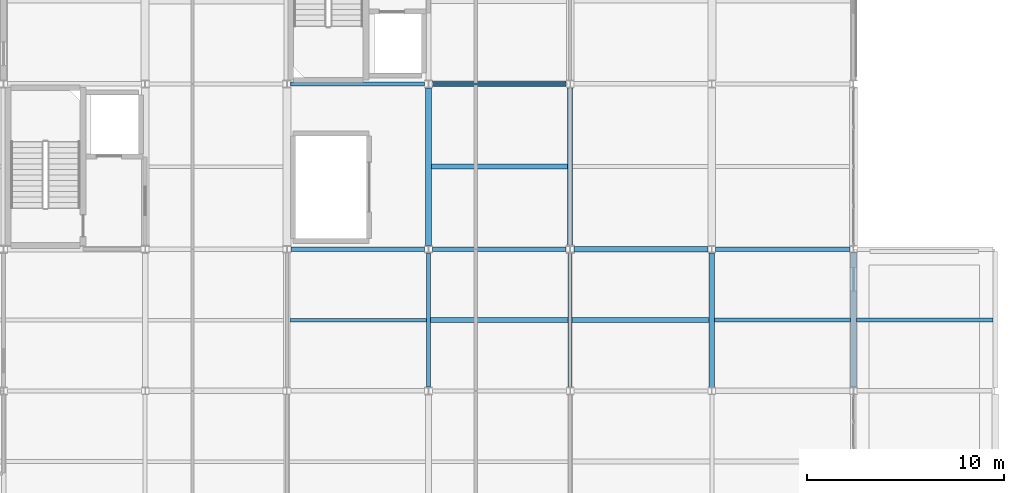
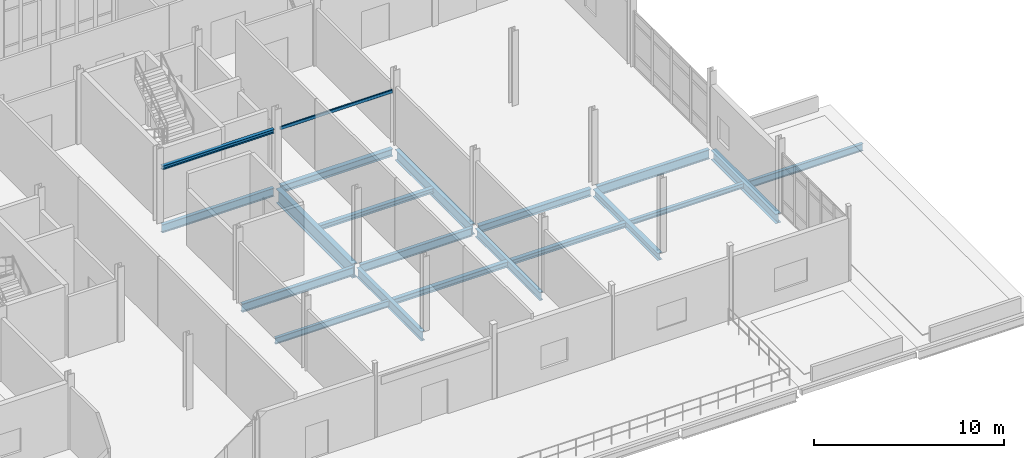
# One storey, part 104 of 186: 20 beams.
"""IFC4 building model written with IfcOpenShell, lengths in metres."""

from ifc_helpers import new_model, si_unit, direction, frame, origin, origin_2d, place, context, subcontext, project, spatial, hollow_rectangle, i_section, extrude, material, material_profile, profile_set, type_object, element, save


model = new_model("IFC4")

# Units and contexts
model_context = context("Model", 3, precision=1e-05, world=origin(), true_north=direction((0.0, 1.0)))
body_context = subcontext(model_context, "Body", "Model", "MODEL_VIEW")
ifc_project = project(units=[si_unit("LENGTHUNIT", "METRE"), si_unit("AREAUNIT", "SQUARE_METRE"), si_unit("VOLUMEUNIT", "CUBIC_METRE"), si_unit("PLANEANGLEUNIT", "RADIAN"), si_unit("MASSUNIT", "GRAM", prefix="KILO")], contexts=[model_context])

# Site, building, storey
site_placement = place(None, origin())
site = spatial("IfcSite", under=ifc_project, at=site_placement, CompositionType="ELEMENT")
building_placement = place(site_placement, origin())
building = spatial("IfcBuilding", under=site, at=building_placement, Name="Calvrana Isthmian Art Gallery", CompositionType="ELEMENT")
storey_placement = place(building_placement, frame((0.0, 0.0, 5.39990234375)))
storey = spatial("IfcBuildingStorey", under=building, at=storey_placement, Name="L01", CompositionType="ELEMENT", Elevation=5.39990234375)

# Beams
ifc_material_1 = material(Name="Steel ASTM A992 Gr 50", Category="steel")
ifc_material_profile_1 = material_profile(ifc_material_1, i_section(OverallWidth=0.279052734375, OverallDepth=0.4619140625, WebThickness=0.0107421875, FlangeThickness=0.017333984375, FilletRadius=0.02001953125, at=origin_2d()), Name="W18X76")
ifc_profile_set_1 = profile_set([ifc_material_profile_1], Name="Steel ASTM A992 Gr 50")
beam_type_1 = type_object("IfcBeamType", Name="BM-G-W18X76", PredefinedType="BEAM", material=ifc_profile_set_1)
beam_1_placement = place(storey_placement, frame((141.802001953125, 21.60009765625, -0.475830078125), z_axis=(1.0, 0.0, 0.0), x_axis=(0.0, 1.0, 0.0)))
element("IfcBeam", 1, at=beam_1_placement, inside=storey, type_object=beam_type_1, Name="Girder X L01 19-20/D", PredefinedType="BEAM", context=body_context, shape_type="SweptSolid", body=[
    extrude(i_section(OverallWidth=0.279052734375, OverallDepth=0.4619140625, WebThickness=0.0107421875, FlangeThickness=0.017333984375, FilletRadius=0.02001953125, at=origin_2d()), origin(), (0.0, 0.0, 1.0), 6.8125),
])
beam_2_placement = place(storey_placement, frame((134.599609375, 30.0, -0.475830078125), z_axis=(1.0, 0.0, 0.0), x_axis=(0.0, 1.0, 0.0)))
element("IfcBeam", 2, at=beam_2_placement, inside=storey, type_object=beam_type_1, Name="Girder X L01 18-19/E", PredefinedType="BEAM", context=body_context, shape_type="SweptSolid", body=[
    extrude(i_section(OverallWidth=0.279052734375, OverallDepth=0.4619140625, WebThickness=0.0107421875, FlangeThickness=0.017333984375, FilletRadius=0.02001953125, at=origin_2d()), origin(), (0.0, 0.0, 1.0), 6.79736328125),
])
beam_3_placement = place(storey_placement, frame((148.800048828125, 14.577880859375, -0.475830078125), z_axis=(0.0, 1.0, 0.0), x_axis=(-1.0, 0.0, 0.0)))
element("IfcBeam", 3, at=beam_3_placement, inside=storey, type_object=beam_type_1, Name="Girder Y L01 20/C-D", PredefinedType="BEAM", context=body_context, shape_type="SweptSolid", body=[
    extrude(i_section(OverallWidth=0.279052734375, OverallDepth=0.4619140625, WebThickness=0.0107421875, FlangeThickness=0.017333984375, FilletRadius=0.02001953125, at=origin_2d()), origin(), (0.0, 0.0, 1.0), 6.840576171875),
])
ifc_material_profile_2 = material_profile(ifc_material_1, i_section(OverallWidth=0.208984375, OverallDepth=0.532958984375, WebThickness=0.01025390625, FlangeThickness=0.015625, FilletRadius=0.02099609375, at=origin_2d()), Name="W21X62")
ifc_profile_set_2 = profile_set([ifc_material_profile_2], Name="Steel ASTM A992 Gr 50")
beam_type_2 = type_object("IfcBeamType", Name="BM-G-W21X62", PredefinedType="BEAM", material=ifc_profile_set_2)
for number, where, z_axis, x_axis, name in (
    (4, (134.599609375, 21.60009765625, -0.511474609375), (1.0, 0.0, 0.0), (0.0, 1.0, 0.0), "Girder X L01 18-19/D"),
    (5, (127.402099609375, 30.0, -0.511474609375), (1.0, 0.0, 0.0), (0.0, 1.0, 0.0), "Girder X L01 17-18/E"),
):
    element("IfcBeam", number, at=place(storey_placement, frame(where, z_axis=z_axis, x_axis=x_axis)), inside=storey, type_object=beam_type_2, Name=name, PredefinedType="BEAM", context=body_context, shape_type="SweptSolid", body=[
        extrude(i_section(OverallWidth=0.208984375, OverallDepth=0.532958984375, WebThickness=0.01025390625, FlangeThickness=0.015625, FilletRadius=0.02099609375, at=origin_2d()), origin(), (0.0, 0.0, 1.0), 6.79833984375),
    ])
beam_4_placement = place(storey_placement, frame((141.60009765625, 14.587890625, -0.511474609375), z_axis=(0.0, 1.0, 0.0), x_axis=(-1.0, 0.0, 0.0)))
element("IfcBeam", 6, at=beam_4_placement, inside=storey, type_object=beam_type_2, Name="Girder Y L01 19/C-D", PredefinedType="BEAM", context=body_context, shape_type="SweptSolid", body=[
    extrude(i_section(OverallWidth=0.208984375, OverallDepth=0.532958984375, WebThickness=0.01025390625, FlangeThickness=0.015625, FilletRadius=0.02099609375, at=origin_2d()), origin(), (0.0, 0.0, 1.0), 6.80908203125),
])
ifc_material_profile_3 = material_profile(ifc_material_1, i_section(OverallWidth=0.214111328125, OverallDepth=0.549072265625, WebThickness=0.0146484375, FlangeThickness=0.023681640625, FilletRadius=0.02099609375, at=origin_2d()), Name="W21X93")
ifc_profile_set_3 = profile_set([ifc_material_profile_3], Name="Steel ASTM A992 Gr 50")
beam_type_3 = type_object("IfcBeamType", Name="BM-G-W21X93", PredefinedType="BEAM", material=ifc_profile_set_3)
beam_5_placement = place(storey_placement, frame((127.400390625, 21.60009765625, -0.519287109375), z_axis=(1.0, 0.0, 0.0), x_axis=(0.0, 1.0, 0.0)))
element("IfcBeam", 7, at=beam_5_placement, inside=storey, type_object=beam_type_3, Name="Girder X L01 17-18/D", PredefinedType="BEAM", context=body_context, shape_type="SweptSolid", body=[
    extrude(i_section(OverallWidth=0.214111328125, OverallDepth=0.549072265625, WebThickness=0.0146484375, FlangeThickness=0.023681640625, FilletRadius=0.02099609375, at=origin_2d()), origin(), (0.0, 0.0, 1.0), 6.800048828125),
])
ifc_material_profile_4 = material_profile(ifc_material_1, i_section(OverallWidth=0.324951171875, OverallDepth=0.612060546875, WebThickness=0.0126953125, FlangeThickness=0.01904296875, FilletRadius=0.02197265625, at=origin_2d()), Name="W24X104")
ifc_profile_set_4 = profile_set([ifc_material_profile_4], Name="Steel ASTM A992 Gr 50")
beam_type_4 = type_object("IfcBeamType", Name="BM-G-W24X104", PredefinedType="BEAM", material=ifc_profile_set_4)
beam_6_placement = place(storey_placement, frame((156.0, 14.58642578125, -0.55078125), z_axis=(0.0, 1.0, 0.0), x_axis=(-1.0, 0.0, 0.0)))
element("IfcBeam", 8, at=beam_6_placement, inside=storey, type_object=beam_type_4, Name="Girder Y L01 21/C-D", PredefinedType="BEAM", context=body_context, shape_type="SweptSolid", body=[
    extrude(i_section(OverallWidth=0.324951171875, OverallDepth=0.612060546875, WebThickness=0.0126953125, FlangeThickness=0.01904296875, FilletRadius=0.02197265625, at=origin_2d()), origin(), (0.0, 0.0, 1.0), 6.835693359375),
])
ifc_material_profile_5 = material_profile(ifc_material_1, i_section(OverallWidth=0.22802734375, OverallDepth=0.60693359375, WebThickness=0.01123046875, FlangeThickness=0.017333984375, FilletRadius=0.02197265625, at=origin_2d()), Name="W24X76")
ifc_profile_set_5 = profile_set([ifc_material_profile_5], Name="Steel ASTM A992 Gr 50")
beam_type_5 = type_object("IfcBeamType", Name="BM-G-W24X76", PredefinedType="BEAM", material=ifc_profile_set_5)
beam_7_placement = place(storey_placement, frame((148.985595703125, 21.60009765625, -0.54833984375), z_axis=(1.0, 0.0, 0.0), x_axis=(0.0, 1.0, 0.0)))
element("IfcBeam", 9, at=beam_7_placement, inside=storey, type_object=beam_type_5, Name="Girder X L01 20-21/D", PredefinedType="BEAM", context=body_context, shape_type="SweptSolid", body=[
    extrude(i_section(OverallWidth=0.22802734375, OverallDepth=0.60693359375, WebThickness=0.01123046875, FlangeThickness=0.017333984375, FilletRadius=0.02197265625, at=origin_2d()), origin(), (0.0, 0.0, 1.0), 6.830322265625),
])
beam_8_placement = place(storey_placement, frame((134.39990234375, 14.590576171875, -0.54833984375), z_axis=(0.0, 1.0, 0.0), x_axis=(-1.0, 0.0, 0.0)))
element("IfcBeam", 10, at=beam_8_placement, inside=storey, type_object=beam_type_5, Name="Girder Y L01 18/C-D", PredefinedType="BEAM", context=body_context, shape_type="SweptSolid", body=[
    extrude(i_section(OverallWidth=0.22802734375, OverallDepth=0.60693359375, WebThickness=0.01123046875, FlangeThickness=0.017333984375, FilletRadius=0.02197265625, at=origin_2d()), origin(), (0.0, 0.0, 1.0), 6.81640625),
])
ifc_material_profile_6 = material_profile(ifc_material_1, i_section(OverallWidth=0.257080078125, OverallDepth=0.693115234375, WebThickness=0.014404296875, FlangeThickness=0.023681640625, FilletRadius=0.02392578125, at=origin_2d()), Name="W27X114")
ifc_profile_set_6 = profile_set([ifc_material_profile_6], Name="Steel ASTM A992 Gr 50")
beam_type_6 = type_object("IfcBeamType", Name="BM-G-W27X114", PredefinedType="BEAM", material=ifc_profile_set_6)
beam_9_placement = place(storey_placement, frame((141.60009765625, 21.802978515625, -0.59130859375), z_axis=(0.0, 1.0, 0.0), x_axis=(-1.0, 0.0, 0.0)))
element("IfcBeam", 11, at=beam_9_placement, inside=storey, type_object=beam_type_6, Name="Girder Y L01 19/D-E", PredefinedType="BEAM", context=body_context, shape_type="SweptSolid", body=[
    extrude(i_section(OverallWidth=0.257080078125, OverallDepth=0.693115234375, WebThickness=0.014404296875, FlangeThickness=0.023681640625, FilletRadius=0.02392578125, at=origin_2d()), origin(), (0.0, 0.0, 1.0), 7.988525390625),
])
ifc_material_profile_7 = material_profile(ifc_material_1, i_section(OverallWidth=0.306884765625, OverallDepth=0.927001953125, WebThickness=0.019287109375, FlangeThickness=0.031982421875, FilletRadius=0.028076171875, at=origin_2d()), Name="W36X194")
ifc_profile_set_7 = profile_set([ifc_material_profile_7], Name="Steel ASTM A992 Gr 50")
beam_type_7 = type_object("IfcBeamType", Name="BM-G-W36X194", PredefinedType="BEAM", material=ifc_profile_set_7)
beam_10_placement = place(storey_placement, frame((134.39990234375, 21.79296875, -0.70849609375), z_axis=(0.0, 1.0, 0.0), x_axis=(-1.0, 0.0, 0.0)))
element("IfcBeam", 12, at=beam_10_placement, inside=storey, type_object=beam_type_7, Name="Girder Y L01 18/D-E", PredefinedType="BEAM", context=body_context, shape_type="SweptSolid", body=[
    extrude(i_section(OverallWidth=0.306884765625, OverallDepth=0.927001953125, WebThickness=0.019287109375, FlangeThickness=0.031982421875, FilletRadius=0.028076171875, at=origin_2d()), origin(), (0.0, 0.0, 1.0), 8.010009765625),
])
ifc_material_profile_8 = material_profile(ifc_material_1, i_section(OverallWidth=0.202880859375, OverallDepth=0.302001953125, WebThickness=0.007568359375, FlangeThickness=0.01318359375, FilletRadius=0.01611328125, at=origin_2d()), Name="W12X40")
ifc_profile_set_8 = profile_set([ifc_material_profile_8], Name="Steel ASTM A992 Gr 50")
beam_type_8 = type_object("IfcBeamType", Name="BM-J-W12X40", PredefinedType="JOIST", material=ifc_profile_set_8)
beam_11_placement = place(storey_placement, frame((148.939453125, 18.0, -0.39599609375), z_axis=(1.0, 0.0, 0.0), x_axis=(0.0, 1.0, 0.0)))
element("IfcBeam", 13, at=beam_11_placement, inside=storey, type_object=beam_type_8, Name="Composite joist L01 bay 19-02", PredefinedType="JOIST", context=body_context, shape_type="SweptSolid", body=[
    extrude(i_section(OverallWidth=0.202880859375, OverallDepth=0.302001953125, WebThickness=0.007568359375, FlangeThickness=0.01318359375, FilletRadius=0.01611328125, at=origin_2d()), origin(), (0.0, 0.0, 1.0), 6.89794921875),
])
ifc_material_profile_9 = material_profile(ifc_material_1, i_section(OverallWidth=0.25390625, OverallDepth=0.306884765625, WebThickness=0.0087890625, FlangeThickness=0.0146484375, FilletRadius=0.01611328125, at=origin_2d()), Name="W12X53")
ifc_profile_set_9 = profile_set([ifc_material_profile_9], Name="Steel ASTM A992 Gr 50")
beam_type_9 = type_object("IfcBeamType", Name="BM-J-W12X53", PredefinedType="JOIST", material=ifc_profile_set_9)
beam_12_placement = place(storey_placement, frame((134.553466796875, 25.800048828125, -0.3984375), z_axis=(1.0, 0.0, 0.0), x_axis=(0.0, 1.0, 0.0)))
element("IfcBeam", 14, at=beam_12_placement, inside=storey, type_object=beam_type_9, Name="Composite joist L01 bay 17-03", PredefinedType="JOIST", context=body_context, shape_type="SweptSolid", body=[
    extrude(i_section(OverallWidth=0.25390625, OverallDepth=0.306884765625, WebThickness=0.0087890625, FlangeThickness=0.0146484375, FilletRadius=0.01611328125, at=origin_2d()), origin(), (0.0, 0.0, 1.0), 6.91796875),
])
beam_13_placement = place(storey_placement, frame((141.70458984375, 18.0, -0.3984375), z_axis=(1.0, 0.0, 0.0), x_axis=(0.0, 1.0, 0.0)))
element("IfcBeam", 15, at=beam_13_placement, inside=storey, type_object=beam_type_9, Name="Composite joist L01 bay 18-02", PredefinedType="JOIST", context=body_context, shape_type="SweptSolid", body=[
    extrude(i_section(OverallWidth=0.25390625, OverallDepth=0.306884765625, WebThickness=0.0087890625, FlangeThickness=0.0146484375, FilletRadius=0.01611328125, at=origin_2d()), origin(), (0.0, 0.0, 1.0), 6.955810546875),
])
ifc_material_profile_10 = material_profile(ifc_material_1, i_section(OverallWidth=0.25390625, OverallDepth=0.35302734375, WebThickness=0.009521484375, FlangeThickness=0.016357421875, FilletRadius=0.01806640625, at=origin_2d()), Name="W14X61")
ifc_profile_set_10 = profile_set([ifc_material_profile_10], Name="Steel ASTM A992 Gr 50")
beam_type_10 = type_object("IfcBeamType", Name="BM-J-W14X61", PredefinedType="JOIST", material=ifc_profile_set_10)
beam_14_placement = place(storey_placement, frame((134.513916015625, 18.0, -0.42138671875), z_axis=(1.0, 0.0, 0.0), x_axis=(0.0, 1.0, 0.0)))
element("IfcBeam", 16, at=beam_14_placement, inside=storey, type_object=beam_type_10, Name="Composite joist L01 bay 17-02", PredefinedType="JOIST", context=body_context, shape_type="SweptSolid", body=[
    extrude(i_section(OverallWidth=0.25390625, OverallDepth=0.35302734375, WebThickness=0.009521484375, FlangeThickness=0.016357421875, FilletRadius=0.01806640625, at=origin_2d()), origin(), (0.0, 0.0, 1.0), 6.981689453125),
])
ifc_material_profile_11 = material_profile(ifc_material_1, i_section(OverallWidth=0.177978515625, OverallDepth=0.404052734375, WebThickness=0.007568359375, FlangeThickness=0.010986328125, FilletRadius=0.01806640625, at=origin_2d()), Name="W16X36")
ifc_profile_set_11 = profile_set([ifc_material_profile_11], Name="Steel ASTM A992 Gr 50")
beam_type_11 = type_object("IfcBeamType", Name="BM-J-W16X36", PredefinedType="JOIST", material=ifc_profile_set_11)
beam_15_placement = place(storey_placement, frame((127.362548828125, 18.0, -0.447021484375), z_axis=(1.0, 0.0, 0.0), x_axis=(0.0, 1.0, 0.0)))
element("IfcBeam", 17, at=beam_15_placement, inside=storey, type_object=beam_type_11, Name="Composite joist L01 bay 16-02", PredefinedType="JOIST", context=body_context, shape_type="SweptSolid", body=[
    extrude(i_section(OverallWidth=0.177978515625, OverallDepth=0.404052734375, WebThickness=0.007568359375, FlangeThickness=0.010986328125, FilletRadius=0.01806640625, at=origin_2d()), origin(), (0.0, 0.0, 1.0), 6.92333984375),
])
ifc_material_profile_12 = material_profile(ifc_material_1, i_section(OverallWidth=0.19091796875, OverallDepth=0.45703125, WebThickness=0.009033203125, FlangeThickness=0.014404296875, FilletRadius=0.02001953125, at=origin_2d()), Name="W18X50")
ifc_profile_set_12 = profile_set([ifc_material_profile_12], Name="Steel ASTM A992 Gr 50")
beam_type_12 = type_object("IfcBeamType", Name="BM-J-W18X50", PredefinedType="JOIST", material=ifc_profile_set_12)
beam_16_placement = place(storey_placement, frame((156.16259765625, 18.0, -0.473388671875), z_axis=(1.0, 0.0, 0.0), x_axis=(0.0, 1.0, 0.0)))
element("IfcBeam", 18, at=beam_16_placement, inside=storey, type_object=beam_type_12, Name="Composite joist L01 bay 20-02", PredefinedType="JOIST", context=body_context, shape_type="SweptSolid", body=[
    extrude(i_section(OverallWidth=0.19091796875, OverallDepth=0.45703125, WebThickness=0.009033203125, FlangeThickness=0.014404296875, FilletRadius=0.02001953125, at=origin_2d()), origin(), (0.0, 0.0, 1.0), 6.92333984375),
])
ifc_material_2 = material(Name="Steel ASTM A500 Gr C", Category="steel")
ifc_material_profile_13 = material_profile(ifc_material_2, hollow_rectangle(XDim=0.1015625, YDim=0.203125, WallThickness=0.009521484375, OuterFilletRadius=0.01904296875, at=origin_2d()), Name="HSS203X102X9.5")
ifc_profile_set_13 = profile_set([ifc_material_profile_13], Name="Steel ASTM A500 Gr C")
beam_type_13 = type_object("IfcBeamType", Name="BM-LN-HSS203", PredefinedType="LINTEL", material=ifc_profile_set_13)
beam_17_placement = place(storey_placement, frame((134.596923828125, 30.0, 3.400146484375), z_axis=(1.0, 0.0, 0.0), x_axis=(0.0, 1.0, 0.0)))
element("IfcBeam", 19, at=beam_17_placement, inside=storey, type_object=beam_type_13, Name="Portal lintel beam L01-06", PredefinedType="LINTEL", context=body_context, shape_type="SweptSolid", body=[
    extrude(hollow_rectangle(XDim=0.1015625, YDim=0.203125, WallThickness=0.009521484375, OuterFilletRadius=0.01904296875, at=origin_2d()), origin(), (0.0, 0.0, 1.0), 6.816650390625),
])
ifc_material_profile_14 = material_profile(ifc_material_1, i_section(OverallWidth=0.201904296875, OverallDepth=0.2470703125, WebThickness=0.00732421875, FlangeThickness=0.010986328125, FilletRadius=0.014892578125, at=origin_2d()), Name="W10X33")
ifc_profile_set_14 = profile_set([ifc_material_profile_14], Name="Steel ASTM A992 Gr 50")
beam_type_14 = type_object("IfcBeamType", Name="BM-LN-W10X33", PredefinedType="LINTEL", material=ifc_profile_set_14)
beam_18_placement = place(storey_placement, frame((127.39794921875, 30.0, 3.400146484375), z_axis=(1.0, 0.0, 0.0), x_axis=(0.0, 1.0, 0.0)))
element("IfcBeam", 20, at=beam_18_placement, inside=storey, type_object=beam_type_14, Name="Portal lintel beam L01-05", PredefinedType="LINTEL", context=body_context, shape_type="SweptSolid", body=[
    extrude(i_section(OverallWidth=0.201904296875, OverallDepth=0.2470703125, WebThickness=0.00732421875, FlangeThickness=0.010986328125, FilletRadius=0.014892578125, at=origin_2d()), origin(), (0.0, 0.0, 1.0), 6.804931640625),
])

save(model, "model.ifc")
